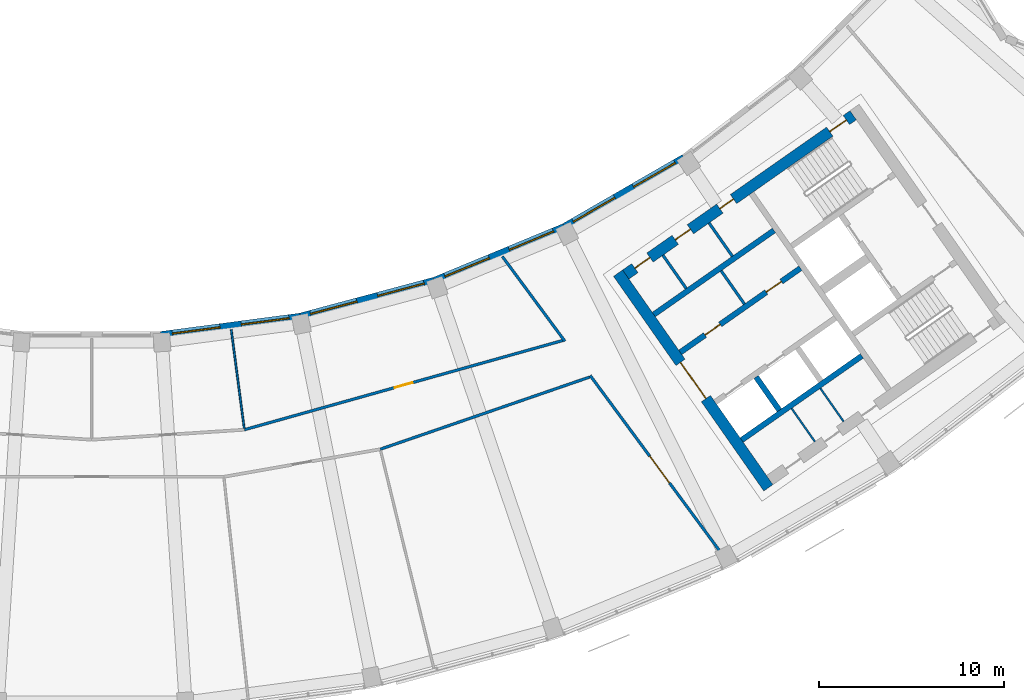
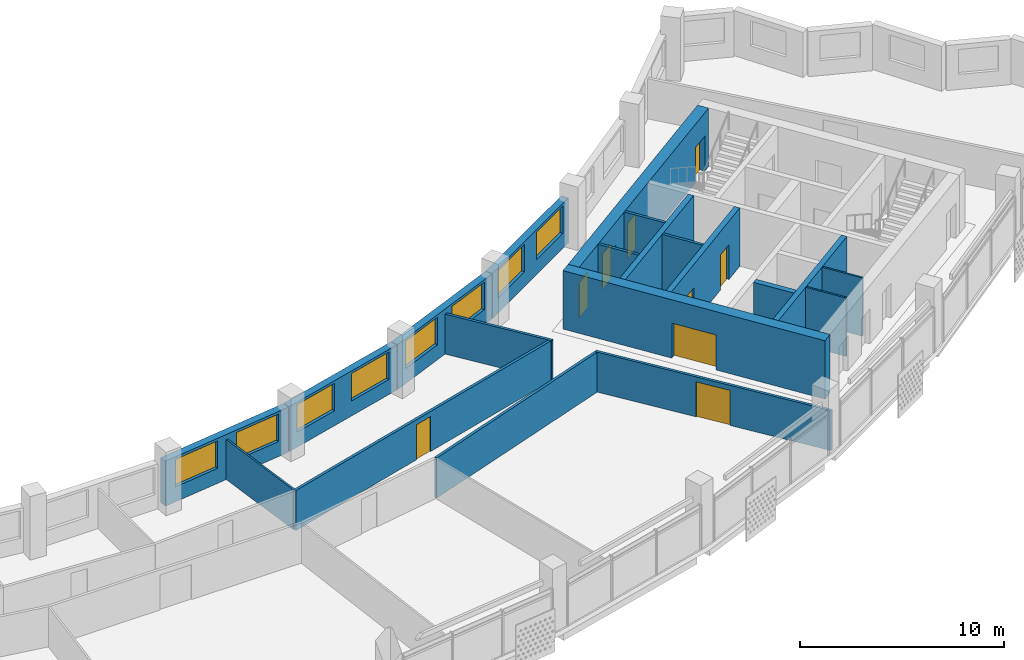
# One storey, part 6 of 29: 20 walls, 9 doors, 8 windows, 17 openings.
"""IFC4 building model written with IfcOpenShell, lengths in metres."""

from ifc_helpers import new_model, si_unit, direction, frame, frame_2d, origin, place, context, subcontext, project, spatial, rectangle, extrude, material, layer, layer_set, type_object, element, fill, save


model = new_model("IFC4")

# Units and contexts
model_context = context("Model", 3, precision=1e-05, world=origin(), true_north=direction((0.0, 1.0)))
body_context = subcontext(model_context, "Body", "Model", "MODEL_VIEW")
ifc_project = project(units=[si_unit("LENGTHUNIT", "METRE"), si_unit("AREAUNIT", "SQUARE_METRE"), si_unit("VOLUMEUNIT", "CUBIC_METRE"), si_unit("PLANEANGLEUNIT", "RADIAN"), si_unit("MASSUNIT", "GRAM", prefix="KILO")], contexts=[model_context])

# Site, building, storey
site_placement = place(None, origin())
site = spatial("IfcSite", under=ifc_project, at=site_placement, CompositionType="ELEMENT")
building_placement = place(site_placement, origin())
building = spatial("IfcBuilding", under=site, at=building_placement, Name="Qamariyya Broadcast Tower", CompositionType="ELEMENT")
storey_placement = place(building_placement, frame((0.0, 0.0, 261.89990234375)))
storey = spatial("IfcBuildingStorey", under=building, at=storey_placement, Name="L63", CompositionType="ELEMENT", Elevation=261.89990234375)

# Wall, opening, door
ifc_material_1 = material(Name="Concrete C60/75", Category="concrete")
ifc_layer_1 = layer(ifc_material_1, 0.60009765625)
ifc_layer_set_1 = layer_set([ifc_layer_1], Name="Core wall 600 mm Concrete C60/75")
wall_type_1 = type_object("IfcWallType", Name="Core wall 600 mm Concrete C60/75", PredefinedType="SHEAR", material=ifc_layer_set_1)
wall_1_placement = place(storey_placement, frame((36.66748046875, -66.005126953125, 0.0), z_axis=(0.0, 0.0, 1.0), x_axis=(-0.573568499524, 0.819157601658, 0.0)))
wall_1 = element("IfcWall", 1, at=wall_1_placement, inside=storey, type_object=wall_type_1, Name="k-E-L63-WA", PredefinedType="SHEAR", context=body_context, shape_type="SweptSolid", body=[
    extrude(rectangle(XDim=14.19970703125, YDim=0.60009765625, at=frame_2d((7.099853515625, 0.0))), origin(), (0.0, 0.0, 1.0), 3.5),
])
opening_1_placement = place(wall_1_placement, frame((5.89990234375, 0.0, 0.0)))
opening_1 = element("IfcOpeningElement", 2, at=opening_1_placement, cuts=wall_1, Name="Opening KD3-E1", PredefinedType="OPENING", context=body_context, shape_type="SweptSolid", body=[
    extrude(rectangle(XDim=2.39990234375, YDim=2.10009765625, at=frame_2d((1.199951171875, 1.050048828125))), frame((0.0, 0.31005859375, 0.0), z_axis=(0.0, -1.0, 0.0), x_axis=(1.0, 0.0, 0.0)), (0.0, 0.0, 1.0), 0.6201171875),
])
ifc_material_2 = material(Name="Steel fire-resisting door leaf", Category="steel")
door_type_1 = type_object("IfcDoorType", Name="Lift lobby door KD3", OperationType="DOUBLE_DOOR_SINGLE_SWING", PredefinedType="DOOR", material=ifc_material_2)
door_1_placement = place(opening_1_placement, origin())
door_1 = element("IfcDoor", 3, at=door_1_placement, inside=storey, type_object=door_type_1, Name="k-E-L63-WA-D1", OperationType="DOUBLE_DOOR_SINGLE_SWING", OverallHeight=2.10009765625, OverallWidth=2.39990234375, PredefinedType="DOOR", context=body_context, shape_type="SweptSolid", body=[
    extrude(rectangle(XDim=2.39990234375, YDim=2.10009765625, at=frame_2d((1.199951171875, 1.050048828125))), frame((0.0, 0.02490234375, 0.0), z_axis=(0.0, -1.0, 0.0), x_axis=(1.0, 0.0, 0.0)), (0.0, 0.0, 1.0), 0.050048828125),
])
fill(opening_1, door_1)

# Wall, openings, doors
wall_2_placement = place(storey_placement, frame((28.940673828125, -54.447021484375, 0.0), z_axis=(0.0, 0.0, 1.0), x_axis=(0.819153391756, 0.573574511963, 0.0)))
wall_2 = element("IfcWall", 4, at=wall_2_placement, inside=storey, type_object=wall_type_1, Name="k-E-L63-WI", PredefinedType="SHEAR", context=body_context, shape_type="SweptSolid", body=[
    extrude(rectangle(XDim=15.04541015625, YDim=0.60009765625, at=frame_2d((7.522705078125, 0.0))), origin(), (0.0, 0.0, 1.0), 3.5),
])
opening_2_placement = place(wall_2_placement, frame((0.60009765625, 0.0, 0.0)))
opening_2 = element("IfcOpeningElement", 5, at=opening_2_placement, cuts=wall_2, Name="Opening KD7-E1", PredefinedType="OPENING", context=body_context, shape_type="SweptSolid", body=[
    extrude(rectangle(XDim=1.0, YDim=2.10009765625, at=frame_2d((0.5, 1.050048828125))), frame((0.0, 0.31005859375, 0.0), z_axis=(0.0, -1.0, 0.0), x_axis=(1.0, 0.0, 0.0)), (0.0, 0.0, 1.0), 0.6201171875),
])
opening_3_placement = place(wall_2_placement, frame((3.27490234375, 0.0, 0.0)))
opening_3 = element("IfcOpeningElement", 6, at=opening_3_placement, cuts=wall_2, Name="Opening KD6-E3", PredefinedType="OPENING", context=body_context, shape_type="SweptSolid", body=[
    extrude(rectangle(XDim=1.0, YDim=2.10009765625, at=frame_2d((0.5, 1.050048828125))), frame((0.0, 0.31005859375, 0.0), z_axis=(0.0, -1.0, 0.0), x_axis=(1.0, 0.0, 0.0)), (0.0, 0.0, 1.0), 0.6201171875),
])
opening_4_placement = place(wall_2_placement, frame((6.22509765625, 0.0, 0.0)))
opening_4 = element("IfcOpeningElement", 7, at=opening_4_placement, cuts=wall_2, Name="Opening KD5-E1", PredefinedType="OPENING", context=body_context, shape_type="SweptSolid", body=[
    extrude(rectangle(XDim=0.89990234375, YDim=2.10009765625, at=frame_2d((0.449951171875, 1.050048828125))), frame((0.0, 0.31005859375, 0.0), z_axis=(0.0, -1.0, 0.0), x_axis=(1.0, 0.0, 0.0)), (0.0, 0.0, 1.0), 0.6201171875),
])
opening_5_placement = place(wall_2_placement, frame((13.495361328125, 0.0, 0.0)))
opening_5 = element("IfcOpeningElement", 8, at=opening_5_placement, cuts=wall_2, Name="Opening KD1-E1", PredefinedType="OPENING", context=body_context, shape_type="SweptSolid", body=[
    extrude(rectangle(XDim=1.10009765625, YDim=2.10009765625, at=frame_2d((0.550048828125, 1.050048828125))), frame((0.0, 0.31005859375, 0.0), z_axis=(0.0, -1.0, 0.0), x_axis=(1.0, 0.0, 0.0)), (0.0, 0.0, 1.0), 0.6201171875),
])
door_type_2 = type_object("IfcDoorType", Name="Accessible toilet door KD7", OperationType="SINGLE_SWING_LEFT", PredefinedType="DOOR", material=ifc_material_2)
door_2_placement = place(opening_2_placement, origin())
door_2 = element("IfcDoor", 9, at=door_2_placement, inside=storey, type_object=door_type_2, Name="k-E-L63-WI-D6", OperationType="SINGLE_SWING_RIGHT", OverallHeight=2.10009765625, OverallWidth=1.0, PredefinedType="DOOR", context=body_context, shape_type="SweptSolid", body=[
    extrude(rectangle(XDim=1.0, YDim=2.10009765625, at=frame_2d((0.5, 1.050048828125))), frame((0.0, 0.02490234375, 0.0), z_axis=(0.0, -1.0, 0.0), x_axis=(1.0, 0.0, 0.0)), (0.0, 0.0, 1.0), 0.050048828125),
])
fill(opening_2, door_2)
door_type_3 = type_object("IfcDoorType", Name="Core room door KD6", OperationType="SINGLE_SWING_LEFT", PredefinedType="DOOR", material=ifc_material_2)
door_3_placement = place(opening_3_placement, origin())
door_3 = element("IfcDoor", 10, at=door_3_placement, inside=storey, type_object=door_type_3, Name="k-E-L63-WI-D7", OperationType="SINGLE_SWING_LEFT", OverallHeight=2.10009765625, OverallWidth=1.0, PredefinedType="DOOR", context=body_context, shape_type="SweptSolid", body=[
    extrude(rectangle(XDim=1.0, YDim=2.10009765625, at=frame_2d((0.5, 1.050048828125))), frame((0.0, 0.02490234375, 0.0), z_axis=(0.0, -1.0, 0.0), x_axis=(1.0, 0.0, 0.0)), (0.0, 0.0, 1.0), 0.050048828125),
])
fill(opening_3, door_3)
door_type_4 = type_object("IfcDoorType", Name="Stair door KD1", OperationType="SINGLE_SWING_LEFT", PredefinedType="DOOR", material=ifc_material_2)
door_4_placement = place(opening_5_placement, origin())
door_4 = element("IfcDoor", 11, at=door_4_placement, inside=storey, type_object=door_type_4, Name="k-E-L63-WI-D15", OperationType="SINGLE_SWING_RIGHT", OverallHeight=2.10009765625, OverallWidth=1.10009765625, PredefinedType="DOOR", context=body_context, shape_type="SweptSolid", body=[
    extrude(rectangle(XDim=1.10009765625, YDim=2.10009765625, at=frame_2d((0.550048828125, 1.050048828125))), frame((0.0, 0.02490234375, 0.0), z_axis=(0.0, -1.0, 0.0), x_axis=(1.0, 0.0, 0.0)), (0.0, 0.0, 1.0), 0.050048828125),
])
fill(opening_5, door_4)
door_type_5 = type_object("IfcDoorType", Name="Toilet door KD5", OperationType="SINGLE_SWING_LEFT", PredefinedType="DOOR", material=ifc_material_2)
door_5_placement = place(opening_4_placement, origin())
door_5 = element("IfcDoor", 12, at=door_5_placement, inside=storey, type_object=door_type_5, Name="k-E-L63-WI-D8", OperationType="SINGLE_SWING_RIGHT", OverallHeight=2.10009765625, OverallWidth=0.89990234375, PredefinedType="DOOR", context=body_context, shape_type="SweptSolid", body=[
    extrude(rectangle(XDim=0.89990234375, YDim=2.10009765625, at=frame_2d((0.449951171875, 1.050048828125))), frame((0.0, 0.02490234375, 0.0), z_axis=(0.0, -1.0, 0.0), x_axis=(1.0, 0.0, 0.0)), (0.0, 0.0, 1.0), 0.050048828125),
])
fill(opening_4, door_5)

# Wall, opening, door
ifc_material_3 = material(Name="Gypsum board partition")
ifc_layer_2 = layer(ifc_material_3, 0.14990234375)
ifc_layer_set_2 = layer_set([ifc_layer_2], Name="Corridor partition 150 EI 60")
wall_type_2 = type_object("IfcWallType", Name="Corridor partition 150 EI 60", PredefinedType="PARTITIONING", material=ifc_layer_set_2)
wall_3_placement = place(storey_placement, frame((8.275390625, -62.857666015625, 0.0), z_axis=(0.0, 0.0, 1.0), x_axis=(0.962894070423, 0.269879619727, 0.0)))
wall_3 = element("IfcWall", 13, at=wall_3_placement, inside=storey, type_object=wall_type_2, Name="Partition L63-022", PredefinedType="PARTITIONING", context=body_context, shape_type="SweptSolid", body=[
    extrude(rectangle(XDim=17.915283203125, YDim=0.14990234375, at=frame_2d((8.95751953125, 0.0))), origin(), (0.0, 0.0, 1.0), 2.400146484375),
])
opening_6_placement = place(wall_3_placement, frame((8.45751953125, 0.0, 0.0)))
opening_6 = element("IfcOpeningElement", 14, at=opening_6_placement, cuts=wall_3, Name="Opening L63-D12", PredefinedType="OPENING", context=body_context, shape_type="SweptSolid", body=[
    extrude(rectangle(XDim=1.0, YDim=2.10009765625, at=frame_2d((0.5, 1.050048828125))), frame((0.0, 0.0849609375, 0.0), z_axis=(0.0, -1.0, 0.0), x_axis=(1.0, 0.0, 0.0)), (0.0, 0.0, 1.0), 0.169921875),
])
ifc_material_4 = material(Name="Timber fire door leaf", Category="wood")
door_type_6 = type_object("IfcDoorType", Name="Fire door 1000 x 2100 FD60", OperationType="NOTDEFINED", PredefinedType="DOOR", material=ifc_material_4)
door_6_placement = place(opening_6_placement, origin())
door_6 = element("IfcDoor", 15, at=door_6_placement, inside=storey, type_object=door_type_6, Name="Door L63-D12", OperationType="SINGLE_SWING_RIGHT", OverallHeight=2.10009765625, OverallWidth=1.0, PredefinedType="DOOR", context=body_context, shape_type="SweptSolid", body=[
    extrude(rectangle(XDim=1.0, YDim=2.10009765625, at=frame_2d((0.5, 1.050048828125))), frame((0.0, 0.02490234375, 0.0), z_axis=(0.0, -1.0, 0.0), x_axis=(1.0, 0.0, 0.0)), (0.0, 0.0, 1.0), 0.050048828125),
])
fill(opening_6, door_6)

# Walls
wall_4_placement = place(storey_placement, frame((15.637939453125, -63.914794921875, 0.0), z_axis=(0.0, 0.0, 1.0), x_axis=(0.94543542925, 0.325809528895, 0.0)))
element("IfcWall", 16, at=wall_4_placement, inside=storey, type_object=wall_type_2, Name="Partition L63-024", PredefinedType="PARTITIONING", context=body_context, shape_type="SweptSolid", body=[
    extrude(rectangle(XDim=12.003662109375, YDim=0.14990234375, at=frame_2d((6.001953125, 0.0))), origin(), (0.0, 0.0, 1.0), 2.400146484375),
])
wall_5_placement = place(storey_placement, frame((22.251953125, -53.469482421875, 0.0), z_axis=(0.0, 0.0, 1.0), x_axis=(0.593872728047, -0.804558999006, 0.0)))
element("IfcWall", 17, at=wall_5_placement, inside=storey, type_object=wall_type_2, Name="Partition L63-026", PredefinedType="PARTITIONING", context=body_context, shape_type="SweptSolid", body=[
    extrude(rectangle(XDim=5.709228515625, YDim=0.14990234375, at=frame_2d((2.8544921875, 0.0))), origin(), (0.0, 0.0, 1.0), 2.400146484375),
])

# Wall, opening, door
wall_6_placement = place(storey_placement, frame((34.534423828125, -70.109130859375, 0.0), z_axis=(0.0, 0.0, 1.0), x_axis=(-0.593869528805, 0.804561360467, 0.0)))
wall_6 = element("IfcWall", 18, at=wall_6_placement, inside=storey, type_object=wall_type_2, Name="Partition L63-027", PredefinedType="PARTITIONING", context=body_context, shape_type="SweptSolid", body=[
    extrude(rectangle(XDim=12.665283203125, YDim=0.14990234375, at=frame_2d((6.33251953125, 0.0))), origin(), (0.0, 0.0, 1.0), 2.400146484375),
])
opening_7_placement = place(wall_6_placement, frame((5.4326171875, 0.0, 0.0)))
opening_7 = element("IfcOpeningElement", 19, at=opening_7_placement, cuts=wall_6, Name="Opening L63-D06", PredefinedType="OPENING", context=body_context, shape_type="SweptSolid", body=[
    extrude(rectangle(XDim=1.800048828125, YDim=2.10009765625, at=frame_2d((0.89990234375, 1.050048828125))), frame((0.0, 0.0849609375, 0.0), z_axis=(0.0, -1.0, 0.0), x_axis=(1.0, 0.0, 0.0)), (0.0, 0.0, 1.0), 0.169921875),
])
door_type_7 = type_object("IfcDoorType", Name="Double fire door 1800 x 2100 FD60", OperationType="NOTDEFINED", PredefinedType="DOOR", material=ifc_material_4)
door_7_placement = place(opening_7_placement, origin())
door_7 = element("IfcDoor", 20, at=door_7_placement, inside=storey, type_object=door_type_7, Name="Door L63-D06", OperationType="DOUBLE_DOOR_SINGLE_SWING", OverallHeight=2.10009765625, OverallWidth=1.800048828125, PredefinedType="DOOR", context=body_context, shape_type="SweptSolid", body=[
    extrude(rectangle(XDim=1.800048828125, YDim=2.10009765625, at=frame_2d((0.89990234375, 1.050048828125))), frame((0.0, 0.02490234375, 0.0), z_axis=(0.0, -1.0, 0.0), x_axis=(1.0, 0.0, 0.0)), (0.0, 0.0, 1.0), 0.050048828125),
])
fill(opening_7, door_7)

# Walls
ifc_material_5 = material(Name="Gypsum board partition on steel studs", Category="steel")
ifc_layer_3 = layer(ifc_material_5, 0.14990234375)
ifc_layer_set_3 = layer_set([ifc_layer_3], Name="Gypsum board partition 150 mm")
wall_type_3 = type_object("IfcWallType", Name="Gypsum board partition 150 mm", PredefinedType="PARTITIONING", material=ifc_layer_set_3)
wall_7_placement = place(storey_placement, frame((35.371826171875, -56.047607421875, 0.0), z_axis=(0.0, 0.0, 1.0), x_axis=(-0.573559170999, 0.819164133348, 0.0)))
element("IfcWall", 21, at=wall_7_placement, inside=storey, type_object=wall_type_3, Name="k-E-L63-NC435", PredefinedType="PARTITIONING", context=body_context, shape_type="SweptSolid", body=[
    extrude(rectangle(XDim=2.19970703125, YDim=0.14990234375, at=frame_2d((1.099853515625, 0.0))), origin(), (0.0, 0.0, 1.0), 3.5),
])
wall_8_placement = place(storey_placement, frame((32.2177734375, -55.204345703125, 0.0), z_axis=(0.0, 0.0, 1.0), x_axis=(-0.573581496053, 0.819148501424, 0.0)))
element("IfcWall", 22, at=wall_8_placement, inside=storey, type_object=wall_type_3, Name="k-E-L63-NP225", PredefinedType="PARTITIONING", context=body_context, shape_type="SweptSolid", body=[
    extrude(rectangle(XDim=2.2001953125, YDim=0.14990234375, at=frame_2d((1.10009765625, 0.0))), origin(), (0.0, 0.0, 1.0), 3.5),
])
wall_9_placement = place(storey_placement, frame((34.716064453125, -53.454833984375, 0.0), z_axis=(0.0, 0.0, 1.0), x_axis=(-0.573507030513, 0.819200638399, 0.0)))
element("IfcWall", 23, at=wall_9_placement, inside=storey, type_object=wall_type_3, Name="k-E-L63-NP530", PredefinedType="PARTITIONING", context=body_context, shape_type="SweptSolid", body=[
    extrude(rectangle(XDim=2.199951171875, YDim=0.14990234375, at=frame_2d((1.10009765625, 0.0))), origin(), (0.0, 0.0, 1.0), 3.5),
])

# Wall, openings, doors
ifc_layer_4 = layer(ifc_material_1, 0.300048828125)
ifc_layer_set_4 = layer_set([ifc_layer_4], Name="Lift shaft wall 300 mm Concrete C60/75")
wall_type_4 = type_object("IfcWallType", Name="Lift shaft wall 300 mm Concrete C60/75", PredefinedType="SOLIDWALL", material=ifc_layer_set_4)
wall_10_placement = place(storey_placement, frame((31.89453125, -58.66552734375, 0.0), z_axis=(0.0, 0.0, 1.0), x_axis=(0.819166993208, 0.573555086491, 0.0)))
wall_10 = element("IfcWall", 24, at=wall_10_placement, inside=storey, type_object=wall_type_4, Name="k-E-L63-NF0", PredefinedType="SOLIDWALL", context=body_context, shape_type="SweptSolid", body=[
    extrude(rectangle(XDim=7.9501953125, YDim=0.300048828125, at=frame_2d((3.97509765625, 0.0))), origin(), (0.0, 0.0, 1.0), 3.5),
])
opening_8_placement = place(wall_10_placement, frame((1.637451171875, 0.0, 0.0)))
opening_8 = element("IfcOpeningElement", 25, at=opening_8_placement, cuts=wall_10, Name="Opening KD6-E1", PredefinedType="OPENING", context=body_context, shape_type="SweptSolid", body=[
    extrude(rectangle(XDim=1.0, YDim=2.10009765625, at=frame_2d((0.5, 1.050048828125))), frame((0.0, 0.159912109375, 0.0), z_axis=(0.0, -1.0, 0.0), x_axis=(1.0, 0.0, 0.0)), (0.0, 0.0, 1.0), 0.320068359375),
])
opening_9_placement = place(wall_10_placement, frame((5.6875, 0.0, 0.0)))
opening_9 = element("IfcOpeningElement", 26, at=opening_9_placement, cuts=wall_10, Name="Opening KD6-E2", PredefinedType="OPENING", context=body_context, shape_type="SweptSolid", body=[
    extrude(rectangle(XDim=1.0, YDim=2.10009765625, at=frame_2d((0.5, 1.050048828125))), frame((0.0, 0.159912109375, 0.0), z_axis=(0.0, -1.0, 0.0), x_axis=(1.0, 0.0, 0.0)), (0.0, 0.0, 1.0), 0.320068359375),
])
door_8_placement = place(opening_8_placement, origin())
door_8 = element("IfcDoor", 27, at=door_8_placement, inside=storey, type_object=door_type_3, Name="k-E-L63-NF0-D2", OperationType="SINGLE_SWING_RIGHT", OverallHeight=2.10009765625, OverallWidth=1.0, PredefinedType="DOOR", context=body_context, shape_type="SweptSolid", body=[
    extrude(rectangle(XDim=1.0, YDim=2.10009765625, at=frame_2d((0.5, 1.050048828125))), frame((0.0, 0.02490234375, 0.0), z_axis=(0.0, -1.0, 0.0), x_axis=(1.0, 0.0, 0.0)), (0.0, 0.0, 1.0), 0.050048828125),
])
fill(opening_8, door_8)
door_9_placement = place(opening_9_placement, origin())
door_9 = element("IfcDoor", 28, at=door_9_placement, inside=storey, type_object=door_type_3, Name="k-E-L63-NF0-D3", OperationType="SINGLE_SWING_LEFT", OverallHeight=2.10009765625, OverallWidth=1.0, PredefinedType="DOOR", context=body_context, shape_type="SweptSolid", body=[
    extrude(rectangle(XDim=1.0, YDim=2.10009765625, at=frame_2d((0.5, 1.050048828125))), frame((0.0, 0.02490234375, 0.0), z_axis=(0.0, -1.0, 0.0), x_axis=(1.0, 0.0, 0.0)), (0.0, 0.0, 1.0), 0.050048828125),
])
fill(opening_9, door_9)

# Walls
wall_11_placement = place(storey_placement, frame((30.460693359375, -56.61767578125, 0.0), z_axis=(0.0, 0.0, 1.0), x_axis=(0.819142461705, 0.573590121456, 0.0)))
element("IfcWall", 29, at=wall_11_placement, inside=storey, type_object=wall_type_4, Name="k-E-L63-NB0", PredefinedType="SOLIDWALL", context=body_context, shape_type="SweptSolid", body=[
    extrude(rectangle(XDim=7.949951171875, YDim=0.300048828125, at=frame_2d((3.97509765625, 0.0))), origin(), (0.0, 0.0, 1.0), 3.5),
])
wall_12_placement = place(storey_placement, frame((35.22119140625, -63.41650390625, 0.0), z_axis=(0.0, 0.0, 1.0), x_axis=(0.819166993208, 0.573555086491, 0.0)))
element("IfcWall", 30, at=wall_12_placement, inside=storey, type_object=wall_type_4, Name="k-E-L63-SB0", PredefinedType="SOLIDWALL", context=body_context, shape_type="SweptSolid", body=[
    extrude(rectangle(XDim=7.9501953125, YDim=0.300048828125, at=frame_2d((3.97509765625, 0.0))), origin(), (0.0, 0.0, 1.0), 3.5),
])
wall_13_placement = place(storey_placement, frame((36.003173828125, -60.000244140625, 0.0), z_axis=(0.0, 0.0, 1.0), x_axis=(0.573581496053, -0.819148501424, 0.0)))
element("IfcWall", 31, at=wall_13_placement, inside=storey, type_object=wall_type_4, Name="k-E-L63-SD0", PredefinedType="SOLIDWALL", context=body_context, shape_type="SweptSolid", body=[
    extrude(rectangle(XDim=2.2001953125, YDim=0.300048828125, at=frame_2d((1.10009765625, 0.0))), origin(), (0.0, 0.0, 1.0), 3.5),
])
ifc_layer_5 = layer(ifc_material_3, 0.10009765625)
ifc_layer_set_5 = layer_set([ifc_layer_5], Name="Partition 100")
wall_type_5 = type_object("IfcWallType", Name="Partition 100", PredefinedType="PARTITIONING", material=ifc_layer_set_5)
wall_14_placement = place(storey_placement, frame((7.56103515625, -57.430908203125, 0.0), z_axis=(0.0, 0.0, 1.0), x_axis=(0.130516514475, -0.991446135425, 0.0)))
element("IfcWall", 32, at=wall_14_placement, inside=storey, type_object=wall_type_5, Name="Partition L63-021", PredefinedType="PARTITIONING", context=body_context, shape_type="SweptSolid", body=[
    extrude(rectangle(XDim=5.3984375, YDim=0.10009765625, at=frame_2d((2.69921875, 0.0))), origin(), (0.0, 0.0, 1.0), 2.400146484375),
])
ifc_material_6 = material(Name="Fire-rated gypsum shaft liner on steel studs", Category="steel")
ifc_layer_6 = layer(ifc_material_6, 0.10009765625)
ifc_layer_set_6 = layer_set([ifc_layer_6], Name="Riser wall 100 mm")
wall_type_6 = type_object("IfcWallType", Name="Riser wall 100 mm", PredefinedType="PLUMBINGWALL", material=ifc_layer_set_6)
wall_15_placement = place(storey_placement, frame((37.9287109375, -61.7041015625, 0.0), z_axis=(0.0, 0.0, 1.0), x_axis=(0.573559170999, -0.819164133348, 0.0)))
element("IfcWall", 33, at=wall_15_placement, inside=storey, type_object=wall_type_6, Name="k-E-L63-SP320", PredefinedType="PLUMBINGWALL", context=body_context, shape_type="SweptSolid", body=[
    extrude(rectangle(XDim=2.19970703125, YDim=0.10009765625, at=frame_2d((1.099853515625, 0.0))), origin(), (0.0, 0.0, 1.0), 3.5),
])
wall_16_placement = place(storey_placement, frame((39.485107421875, -60.6142578125, 0.0), z_axis=(0.0, 0.0, 1.0), x_axis=(0.573507030513, -0.819200638399, 0.0)))
element("IfcWall", 34, at=wall_16_placement, inside=storey, type_object=wall_type_6, Name="k-E-L63-SP510", PredefinedType="PLUMBINGWALL", context=body_context, shape_type="SweptSolid", body=[
    extrude(rectangle(XDim=2.199951171875, YDim=0.10009765625, at=frame_2d((1.10009765625, 0.0))), origin(), (0.0, 0.0, 1.0), 3.5),
])

# Wall, openings, windows
ifc_material_7 = material(Name="Terracotta", Category="masonry")
ifc_layer_7 = layer(ifc_material_7, 0.39990234375)
ifc_layer_set_7 = layer_set([ifc_layer_7], Name="Terracotta clad wall 400")
wall_type_7 = type_object("IfcWallType", Name="Terracotta clad wall 400", PredefinedType="SOLIDWALL", material=ifc_layer_set_7)
wall_17_placement = place(storey_placement, frame((25.609619140625, -51.875, 0.0), z_axis=(0.0, 0.0, 1.0), x_axis=(-0.923887531937, -0.382664119472, 0.0)))
wall_17 = element("IfcWall", 35, at=wall_17_placement, inside=storey, type_object=wall_type_7, Name="e-wl-L63-in100", PredefinedType="SOLIDWALL", context=body_context, shape_type="SweptSolid", body=[
    extrude(rectangle(XDim=7.6171875, YDim=0.39990234375, at=frame_2d((3.80859375, 0.0))), origin(), (0.0, 0.0, 1.0), 2.7001953125),
])
opening_10_placement = place(wall_17_placement, frame((4.393798828125, 0.0, 0.89990234375)))
opening_10 = element("IfcOpeningElement", 36, at=opening_10_placement, cuts=wall_17, Name="Opening W1", PredefinedType="OPENING", context=body_context, shape_type="SweptSolid", body=[
    extrude(rectangle(XDim=2.60009765625, YDim=1.64990234375, at=frame_2d((1.300048828125, 0.824951171875))), frame((0.0, 0.2099609375, 0.0), z_axis=(0.0, -1.0, 0.0), x_axis=(1.0, 0.0, 0.0)), (0.0, 0.0, 1.0), 0.419921875),
])
opening_11_placement = place(wall_17_placement, frame((0.623291015625, 0.0, 0.89990234375)))
opening_11 = element("IfcOpeningElement", 37, at=opening_11_placement, cuts=wall_17, Name="Opening W1", PredefinedType="OPENING", context=body_context, shape_type="SweptSolid", body=[
    extrude(rectangle(XDim=2.60009765625, YDim=1.64990234375, at=frame_2d((1.300048828125, 0.824951171875))), frame((0.0, 0.2099609375, 0.0), z_axis=(0.0, -1.0, 0.0), x_axis=(1.0, 0.0, 0.0)), (0.0, 0.0, 1.0), 0.419921875),
])
ifc_material_8 = material(Name="Clear low-e double glazed unit in aluminium frame", Category="aluminium")
window_type = type_object("IfcWindowType", Name="Ribbon window 2600 x 1650", PartitioningType="SINGLE_PANEL", PredefinedType="WINDOW", material=ifc_material_8)
window_1_placement = place(opening_10_placement, origin())
window_1 = element("IfcWindow", 38, at=window_1_placement, inside=storey, type_object=window_type, Name="e-w-L63-in10-0", OverallHeight=1.64990234375, OverallWidth=2.60009765625, PartitioningType="SINGLE_PANEL", PredefinedType="WINDOW", context=body_context, shape_type="SweptSolid", body=[
    extrude(rectangle(XDim=2.60009765625, YDim=1.64990234375, at=frame_2d((1.300048828125, 0.824951171875))), frame((0.0, 0.030029296875, 0.0), z_axis=(0.0, -1.0, 0.0), x_axis=(1.0, 0.0, 0.0)), (0.0, 0.0, 1.0), 0.06005859375),
])
fill(opening_10, window_1)
window_2_placement = place(opening_11_placement, origin())
window_2 = element("IfcWindow", 39, at=window_2_placement, inside=storey, type_object=window_type, Name="e-w-L63-in10-1", OverallHeight=1.64990234375, OverallWidth=2.60009765625, PartitioningType="SINGLE_PANEL", PredefinedType="WINDOW", context=body_context, shape_type="SweptSolid", body=[
    extrude(rectangle(XDim=2.60009765625, YDim=1.64990234375, at=frame_2d((1.300048828125, 0.824951171875))), frame((0.0, 0.030029296875, 0.0), z_axis=(0.0, -1.0, 0.0), x_axis=(1.0, 0.0, 0.0)), (0.0, 0.0, 1.0), 0.06005859375),
])
fill(opening_11, window_2)

wall_18_placement = place(storey_placement, frame((32.095947265625, -48.126220703125, 0.0), z_axis=(0.0, 0.0, 1.0), x_axis=(-0.866016763373, -0.500014965334, 0.0)))
wall_18 = element("IfcWall", 40, at=wall_18_placement, inside=storey, type_object=wall_type_7, Name="e-wl-L63-in110", PredefinedType="SOLIDWALL", context=body_context, shape_type="SweptSolid", body=[
    extrude(rectangle(XDim=7.465576171875, YDim=0.39990234375, at=frame_2d((3.73291015625, 0.0))), origin(), (0.0, 0.0, 1.0), 2.7001953125),
])
opening_12_placement = place(wall_18_placement, frame((4.318115234375, 0.0, 0.89990234375)))
opening_12 = element("IfcOpeningElement", 41, at=opening_12_placement, cuts=wall_18, Name="Opening W1", PredefinedType="OPENING", context=body_context, shape_type="SweptSolid", body=[
    extrude(rectangle(XDim=2.60009765625, YDim=1.64990234375, at=frame_2d((1.300048828125, 0.824951171875))), frame((0.0, 0.2099609375, 0.0), z_axis=(0.0, -1.0, 0.0), x_axis=(1.0, 0.0, 0.0)), (0.0, 0.0, 1.0), 0.419921875),
])
opening_13_placement = place(wall_18_placement, frame((0.547607421875, 0.0, 0.89990234375)))
opening_13 = element("IfcOpeningElement", 42, at=opening_13_placement, cuts=wall_18, Name="Opening W1", PredefinedType="OPENING", context=body_context, shape_type="SweptSolid", body=[
    extrude(rectangle(XDim=2.60009765625, YDim=1.64990234375, at=frame_2d((1.300048828125, 0.824951171875))), frame((0.0, 0.2099609375, 0.0), z_axis=(0.0, -1.0, 0.0), x_axis=(1.0, 0.0, 0.0)), (0.0, 0.0, 1.0), 0.419921875),
])
window_3_placement = place(opening_12_placement, origin())
window_3 = element("IfcWindow", 43, at=window_3_placement, inside=storey, type_object=window_type, Name="e-w-L63-in11-0", OverallHeight=1.64990234375, OverallWidth=2.60009765625, PartitioningType="SINGLE_PANEL", PredefinedType="WINDOW", context=body_context, shape_type="SweptSolid", body=[
    extrude(rectangle(XDim=2.60009765625, YDim=1.64990234375, at=frame_2d((1.300048828125, 0.824951171875))), frame((0.0, 0.030029296875, 0.0), z_axis=(0.0, -1.0, 0.0), x_axis=(1.0, 0.0, 0.0)), (0.0, 0.0, 1.0), 0.06005859375),
])
fill(opening_12, window_3)
window_4_placement = place(opening_13_placement, origin())
window_4 = element("IfcWindow", 44, at=window_4_placement, inside=storey, type_object=window_type, Name="e-w-L63-in11-1", OverallHeight=1.64990234375, OverallWidth=2.60009765625, PartitioningType="SINGLE_PANEL", PredefinedType="WINDOW", context=body_context, shape_type="SweptSolid", body=[
    extrude(rectangle(XDim=2.60009765625, YDim=1.64990234375, at=frame_2d((1.300048828125, 0.824951171875))), frame((0.0, 0.030029296875, 0.0), z_axis=(0.0, -1.0, 0.0), x_axis=(1.0, 0.0, 0.0)), (0.0, 0.0, 1.0), 0.06005859375),
])
fill(opening_13, window_4)

wall_19_placement = place(storey_placement, frame((11.310791015625, -56.735595703125, 0.0), z_axis=(0.0, 0.0, 1.0), x_axis=(-0.991446548217, -0.130513378733, 0.0)))
wall_19 = element("IfcWall", 45, at=wall_19_placement, inside=storey, type_object=wall_type_7, Name="e-wl-L63-in80", PredefinedType="SOLIDWALL", context=body_context, shape_type="SweptSolid", body=[
    extrude(rectangle(XDim=7.6171875, YDim=0.39990234375, at=frame_2d((3.80859375, 0.0))), origin(), (0.0, 0.0, 1.0), 2.7001953125),
])
opening_14_placement = place(wall_19_placement, frame((4.393798828125, 0.0, 0.89990234375)))
opening_14 = element("IfcOpeningElement", 46, at=opening_14_placement, cuts=wall_19, Name="Opening W1", PredefinedType="OPENING", context=body_context, shape_type="SweptSolid", body=[
    extrude(rectangle(XDim=2.60009765625, YDim=1.64990234375, at=frame_2d((1.300048828125, 0.824951171875))), frame((0.0, 0.2099609375, 0.0), z_axis=(0.0, -1.0, 0.0), x_axis=(1.0, 0.0, 0.0)), (0.0, 0.0, 1.0), 0.419921875),
])
opening_15_placement = place(wall_19_placement, frame((0.623291015625, 0.0, 0.89990234375)))
opening_15 = element("IfcOpeningElement", 47, at=opening_15_placement, cuts=wall_19, Name="Opening W1", PredefinedType="OPENING", context=body_context, shape_type="SweptSolid", body=[
    extrude(rectangle(XDim=2.60009765625, YDim=1.64990234375, at=frame_2d((1.300048828125, 0.824951171875))), frame((0.0, 0.2099609375, 0.0), z_axis=(0.0, -1.0, 0.0), x_axis=(1.0, 0.0, 0.0)), (0.0, 0.0, 1.0), 0.419921875),
])
window_5_placement = place(opening_14_placement, origin())
window_5 = element("IfcWindow", 48, at=window_5_placement, inside=storey, type_object=window_type, Name="e-w-L63-in08-0", OverallHeight=1.64990234375, OverallWidth=2.60009765625, PartitioningType="SINGLE_PANEL", PredefinedType="WINDOW", context=body_context, shape_type="SweptSolid", body=[
    extrude(rectangle(XDim=2.60009765625, YDim=1.64990234375, at=frame_2d((1.300048828125, 0.824951171875))), frame((0.0, 0.030029296875, 0.0), z_axis=(0.0, -1.0, 0.0), x_axis=(1.0, 0.0, 0.0)), (0.0, 0.0, 1.0), 0.06005859375),
])
fill(opening_14, window_5)
window_6_placement = place(opening_15_placement, origin())
window_6 = element("IfcWindow", 49, at=window_6_placement, inside=storey, type_object=window_type, Name="e-w-L63-in08-1", OverallHeight=1.64990234375, OverallWidth=2.60009765625, PartitioningType="SINGLE_PANEL", PredefinedType="WINDOW", context=body_context, shape_type="SweptSolid", body=[
    extrude(rectangle(XDim=2.60009765625, YDim=1.64990234375, at=frame_2d((1.300048828125, 0.824951171875))), frame((0.0, 0.030029296875, 0.0), z_axis=(0.0, -1.0, 0.0), x_axis=(1.0, 0.0, 0.0)), (0.0, 0.0, 1.0), 0.06005859375),
])
fill(opening_15, window_6)

wall_20_placement = place(storey_placement, frame((18.54638671875, -54.79345703125, 0.0), z_axis=(0.0, 0.0, 1.0), x_axis=(-0.965923236695, -0.258828709406, 0.0)))
wall_20 = element("IfcWall", 50, at=wall_20_placement, inside=storey, type_object=wall_type_7, Name="e-wl-L63-in90", PredefinedType="SOLIDWALL", context=body_context, shape_type="SweptSolid", body=[
    extrude(rectangle(XDim=7.4658203125, YDim=0.39990234375, at=frame_2d((3.73291015625, 0.0))), origin(), (0.0, 0.0, 1.0), 2.7001953125),
])
opening_16_placement = place(wall_20_placement, frame((4.318115234375, 0.0, 0.89990234375)))
opening_16 = element("IfcOpeningElement", 51, at=opening_16_placement, cuts=wall_20, Name="Opening W1", PredefinedType="OPENING", context=body_context, shape_type="SweptSolid", body=[
    extrude(rectangle(XDim=2.60009765625, YDim=1.64990234375, at=frame_2d((1.300048828125, 0.824951171875))), frame((0.0, 0.2099609375, 0.0), z_axis=(0.0, -1.0, 0.0), x_axis=(1.0, 0.0, 0.0)), (0.0, 0.0, 1.0), 0.419921875),
])
opening_17_placement = place(wall_20_placement, frame((0.547607421875, 0.0, 0.89990234375)))
opening_17 = element("IfcOpeningElement", 52, at=opening_17_placement, cuts=wall_20, Name="Opening W1", PredefinedType="OPENING", context=body_context, shape_type="SweptSolid", body=[
    extrude(rectangle(XDim=2.60009765625, YDim=1.64990234375, at=frame_2d((1.300048828125, 0.824951171875))), frame((0.0, 0.2099609375, 0.0), z_axis=(0.0, -1.0, 0.0), x_axis=(1.0, 0.0, 0.0)), (0.0, 0.0, 1.0), 0.419921875),
])
window_7_placement = place(opening_16_placement, origin())
window_7 = element("IfcWindow", 53, at=window_7_placement, inside=storey, type_object=window_type, Name="e-w-L63-in09-0", OverallHeight=1.64990234375, OverallWidth=2.60009765625, PartitioningType="SINGLE_PANEL", PredefinedType="WINDOW", context=body_context, shape_type="SweptSolid", body=[
    extrude(rectangle(XDim=2.60009765625, YDim=1.64990234375, at=frame_2d((1.300048828125, 0.824951171875))), frame((0.0, 0.030029296875, 0.0), z_axis=(0.0, -1.0, 0.0), x_axis=(1.0, 0.0, 0.0)), (0.0, 0.0, 1.0), 0.06005859375),
])
fill(opening_16, window_7)
window_8_placement = place(opening_17_placement, origin())
window_8 = element("IfcWindow", 54, at=window_8_placement, inside=storey, type_object=window_type, Name="e-w-L63-in09-1", OverallHeight=1.64990234375, OverallWidth=2.60009765625, PartitioningType="SINGLE_PANEL", PredefinedType="WINDOW", context=body_context, shape_type="SweptSolid", body=[
    extrude(rectangle(XDim=2.60009765625, YDim=1.64990234375, at=frame_2d((1.300048828125, 0.824951171875))), frame((0.0, 0.030029296875, 0.0), z_axis=(0.0, -1.0, 0.0), x_axis=(1.0, 0.0, 0.0)), (0.0, 0.0, 1.0), 0.06005859375),
])
fill(opening_17, window_8)

save(model, "model.ifc")
